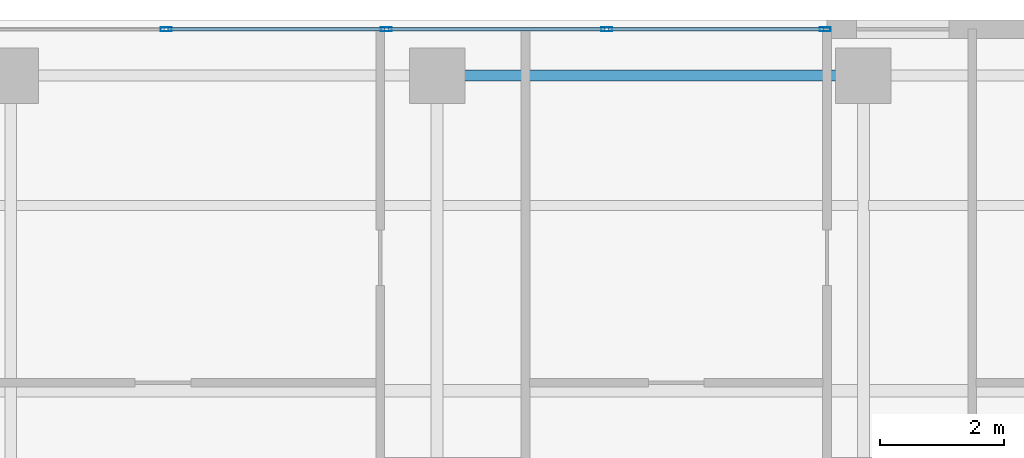
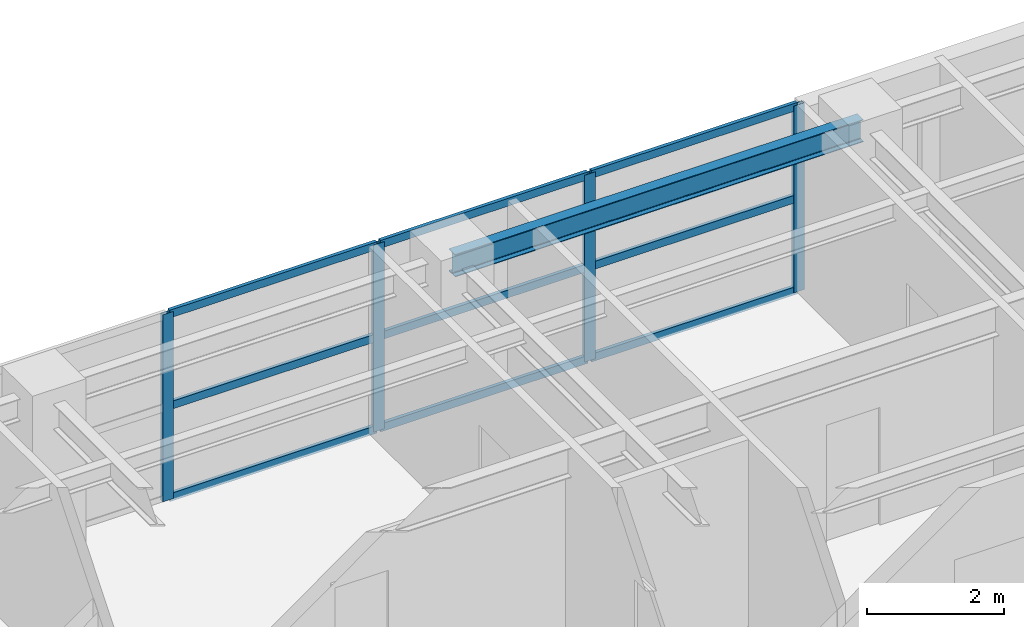
# One storey, part 17 of 24: 13 members, 1 beam, 1 element without a shape of its own.
"""IFC4 building model written with IfcOpenShell, lengths in metres."""

from ifc_helpers import new_model, si_unit, direction, frame, origin, origin_2d, place, context, subcontext, project, spatial, hollow_rectangle, i_section, extrude, source, transform, mapped, material, layer, layer_set, material_profile, profile_set, type_object, element, aggregate, save


model = new_model("IFC4")

# Units and contexts
model_context = context("Model", 3, precision=1e-05, world=origin(), true_north=direction((0.0, 1.0)))
body_context = subcontext(model_context, "Body", "Model", "MODEL_VIEW")
ifc_project = project(units=[si_unit("LENGTHUNIT", "METRE"), si_unit("AREAUNIT", "SQUARE_METRE"), si_unit("VOLUMEUNIT", "CUBIC_METRE"), si_unit("PLANEANGLEUNIT", "RADIAN"), si_unit("MASSUNIT", "GRAM", prefix="KILO")], contexts=[model_context])

# Site, building, storey
site_placement = place(None, origin())
site = spatial("IfcSite", under=ifc_project, at=site_placement, CompositionType="ELEMENT")
building_placement = place(site_placement, origin())
building = spatial("IfcBuilding", under=site, at=building_placement, Name="Khoralis Quay Care Tower", CompositionType="ELEMENT")
storey_placement = place(building_placement, frame((0.0, 0.0, 155.699951171875)))
storey = spatial("IfcBuildingStorey", under=building, at=storey_placement, Name="L40", CompositionType="ELEMENT", Elevation=155.699951171875)

# Beam
ifc_material_1 = material(Name="Steel S355", Category="steel")
ifc_material_profile_1 = material_profile(ifc_material_1, i_section(OverallWidth=0.179931640625, OverallDepth=0.39990234375, WebThickness=0.008544921875, FlangeThickness=0.013427734375, FilletRadius=0.02099609375, at=origin_2d()), Name="Steel S355")
ifc_profile_set_1 = profile_set([ifc_material_profile_1], Name="Steel S355")
beam_type = type_object("IfcBeamType", Name="BM-IPE400", PredefinedType="SPANDREL", material=ifc_profile_set_1)
shared_shape_1 = source(origin(), body_context, "Body", "SweptSolid", [
    extrude(i_section(OverallWidth=0.179931640625, OverallDepth=0.39990234375, WebThickness=0.008544921875, FlangeThickness=0.013427734375, FilletRadius=0.02099609375, at=origin_2d()), origin(), (0.0, 0.0, 1.0), 6.89990234375),
])
beam_placement = place(storey_placement, frame((24.0, 41.10009765625, 3.14013671875), z_axis=(1.0, 0.0, 0.0), x_axis=(0.0, 1.0, 0.0)))
element("IfcBeam", 1, at=beam_placement, inside=storey, type_object=beam_type, Name="BM-TSP-L40-07", PredefinedType="SPANDREL", context=body_context, shape_type="MappedRepresentation", body=[
    mapped(shared_shape_1, transform((0.0, 0.0, 0.0), scale=1.0)),
])

# Curtain wall, members
ifc_material_2 = material(Name="Pale anodised aluminium", Category="aluminium")
ifc_layer = layer(ifc_material_2, 0.159912109375)
ifc_layer_set = layer_set([ifc_layer], Name="Pale anodised aluminium")
curtain_wall_type = type_object("IfcCurtainWallType", Name="CW-SYS-Z3", PredefinedType="NOTDEFINED", material=ifc_layer_set)
curtain_wall_placement = place(storey_placement, origin())
curtain_wall = element("IfcCurtainWall", 2, at=curtain_wall_placement, inside=storey, type_object=curtain_wall_type, Name="L40 Unitised Curtain Wall CW-L40-P1-E10", PredefinedType="NOTDEFINED")
ifc_material_profile_2 = material_profile(ifc_material_2, hollow_rectangle(XDim=0.06494140625, YDim=0.179931640625, WallThickness=0.00390625, at=origin_2d()), Name="Pale anodised aluminium")
ifc_profile_set_2 = profile_set([ifc_material_profile_2], Name="Pale anodised aluminium")
member_type_1 = type_object("IfcMemberType", Name="CW-MUL-180", PredefinedType="MULLION", material=ifc_profile_set_2)
shared_shape_2 = source(origin(), body_context, "Body", "SweptSolid", [
    extrude(hollow_rectangle(XDim=0.06494140625, YDim=0.179931640625, WallThickness=0.00390625, at=origin_2d()), origin(), (0.0, 0.0, 1.0), 3.340087890625),
])
member_1_placement = place(storey_placement, frame((30.280029296875, 41.85009765625, 0.0), z_axis=(0.0, 0.0, 1.0), x_axis=(0.0, -1.0, 0.0)))
member_1 = element("IfcMember", 3, at=member_1_placement, type_object=member_type_1, Name="CW3 mullion 1", PredefinedType="MULLION", context=body_context, shape_type="MappedRepresentation", body=[
    mapped(shared_shape_2, transform((0.0, 0.0, 0.0), scale=1.0)),
])
member_2_placement = place(storey_placement, frame((26.7451171875, 41.85009765625, 0.0), z_axis=(0.0, 0.0, 1.0), x_axis=(0.0, -1.0, 0.0)))
member_2 = element("IfcMember", 4, at=member_2_placement, type_object=member_type_1, Name="CW3 mullion 2", PredefinedType="MULLION", context=body_context, shape_type="MappedRepresentation", body=[
    mapped(shared_shape_2, transform((0.0, 0.0, 0.0), scale=1.0)),
])
member_3_placement = place(storey_placement, frame((23.179931640625, 41.85009765625, 0.0), z_axis=(0.0, 0.0, 1.0), x_axis=(0.0, -1.0, 0.0)))
member_3 = element("IfcMember", 5, at=member_3_placement, type_object=member_type_1, Name="CW3 mullion 3", PredefinedType="MULLION", context=body_context, shape_type="MappedRepresentation", body=[
    mapped(shared_shape_2, transform((0.0, 0.0, 0.0), scale=1.0)),
])
member_4_placement = place(storey_placement, frame((19.614990234375, 41.85009765625, 0.0), z_axis=(0.0, 0.0, 1.0), x_axis=(0.0, -1.0, 0.0)))
member_4 = element("IfcMember", 6, at=member_4_placement, type_object=member_type_1, Name="CW3 mullion 4", PredefinedType="MULLION", context=body_context, shape_type="MappedRepresentation", body=[
    mapped(shared_shape_2, transform((0.0, 0.0, 0.0), scale=1.0)),
])
ifc_material_profile_3 = material_profile(ifc_material_2, hollow_rectangle(XDim=0.06005859375, YDim=0.139892578125, WallThickness=0.00390625, at=origin_2d()), Name="Pale anodised aluminium")
ifc_profile_set_3 = profile_set([ifc_material_profile_3], Name="Pale anodised aluminium")
member_type_2 = type_object("IfcMemberType", Name="CW-TRN-140", PredefinedType="USERDEFINED", material=ifc_profile_set_3)
shared_shape_3 = source(origin(), body_context, "Body", "SweptSolid", [
    extrude(hollow_rectangle(XDim=0.06005859375, YDim=0.139892578125, WallThickness=0.00390625, at=origin_2d()), origin(), (0.0, 0.0, 1.0), 3.47509765625),
])
member_5_placement = place(storey_placement, frame((30.25, 41.85009765625, 0.030029296875), z_axis=(-1.0, 0.0, 0.0), x_axis=(0.0, -1.0, 0.0)))
member_5 = element("IfcMember", 7, at=member_5_placement, type_object=member_type_2, Name="CW3 transom 1.1", ObjectType="TRANSOM", PredefinedType="USERDEFINED", context=body_context, shape_type="MappedRepresentation", body=[
    mapped(shared_shape_3, transform((0.0, 0.0, 0.0), scale=1.0)),
])
member_6_placement = place(storey_placement, frame((30.25, 41.85009765625, 1.670166015625), z_axis=(-1.0, 0.0, 0.0), x_axis=(0.0, -1.0, 0.0)))
member_6 = element("IfcMember", 8, at=member_6_placement, type_object=member_type_2, Name="CW3 transom 1.2", ObjectType="TRANSOM", PredefinedType="USERDEFINED", context=body_context, shape_type="MappedRepresentation", body=[
    mapped(shared_shape_3, transform((0.0, 0.0, 0.0), scale=1.0)),
])
member_7_placement = place(storey_placement, frame((30.25, 41.85009765625, 3.31005859375), z_axis=(-1.0, 0.0, 0.0), x_axis=(0.0, -1.0, 0.0)))
member_7 = element("IfcMember", 9, at=member_7_placement, type_object=member_type_2, Name="CW3 transom 1.3", ObjectType="TRANSOM", PredefinedType="USERDEFINED", context=body_context, shape_type="MappedRepresentation", body=[
    mapped(shared_shape_3, transform((0.0, 0.0, 0.0), scale=1.0)),
])
shared_shape_4 = source(origin(), body_context, "Body", "SweptSolid", [
    extrude(hollow_rectangle(XDim=0.06005859375, YDim=0.139892578125, WallThickness=0.00390625, at=origin_2d()), origin(), (0.0, 0.0, 1.0), 3.505126953125),
])
member_8_placement = place(storey_placement, frame((26.715087890625, 41.85009765625, 0.030029296875), z_axis=(-1.0, 0.0, 0.0), x_axis=(0.0, -1.0, 0.0)))
member_8 = element("IfcMember", 10, at=member_8_placement, type_object=member_type_2, Name="CW3 transom 2.1", ObjectType="TRANSOM", PredefinedType="USERDEFINED", context=body_context, shape_type="MappedRepresentation", body=[
    mapped(shared_shape_4, transform((0.0, 0.0, 0.0), scale=1.0)),
])
member_9_placement = place(storey_placement, frame((26.715087890625, 41.85009765625, 1.670166015625), z_axis=(-1.0, 0.0, 0.0), x_axis=(0.0, -1.0, 0.0)))
member_9 = element("IfcMember", 11, at=member_9_placement, type_object=member_type_2, Name="CW3 transom 2.2", ObjectType="TRANSOM", PredefinedType="USERDEFINED", context=body_context, shape_type="MappedRepresentation", body=[
    mapped(shared_shape_4, transform((0.0, 0.0, 0.0), scale=1.0)),
])
member_10_placement = place(storey_placement, frame((26.715087890625, 41.85009765625, 3.31005859375), z_axis=(-1.0, 0.0, 0.0), x_axis=(0.0, -1.0, 0.0)))
member_10 = element("IfcMember", 12, at=member_10_placement, type_object=member_type_2, Name="CW3 transom 2.3", ObjectType="TRANSOM", PredefinedType="USERDEFINED", context=body_context, shape_type="MappedRepresentation", body=[
    mapped(shared_shape_4, transform((0.0, 0.0, 0.0), scale=1.0)),
])
shared_shape_5 = source(origin(), body_context, "Body", "SweptSolid", [
    extrude(hollow_rectangle(XDim=0.06005859375, YDim=0.139892578125, WallThickness=0.00390625, at=origin_2d()), origin(), (0.0, 0.0, 1.0), 3.5048828125),
])
member_11_placement = place(storey_placement, frame((23.14990234375, 41.85009765625, 0.030029296875), z_axis=(-1.0, 0.0, 0.0), x_axis=(0.0, -1.0, 0.0)))
member_11 = element("IfcMember", 13, at=member_11_placement, type_object=member_type_2, Name="CW3 transom 3.1", ObjectType="TRANSOM", PredefinedType="USERDEFINED", context=body_context, shape_type="MappedRepresentation", body=[
    mapped(shared_shape_5, transform((0.0, 0.0, 0.0), scale=1.0)),
])
member_12_placement = place(storey_placement, frame((23.14990234375, 41.85009765625, 1.670166015625), z_axis=(-1.0, 0.0, 0.0), x_axis=(0.0, -1.0, 0.0)))
member_12 = element("IfcMember", 14, at=member_12_placement, type_object=member_type_2, Name="CW3 transom 3.2", ObjectType="TRANSOM", PredefinedType="USERDEFINED", context=body_context, shape_type="MappedRepresentation", body=[
    mapped(shared_shape_5, transform((0.0, 0.0, 0.0), scale=1.0)),
])
member_13_placement = place(storey_placement, frame((23.14990234375, 41.85009765625, 3.31005859375), z_axis=(-1.0, 0.0, 0.0), x_axis=(0.0, -1.0, 0.0)))
member_13 = element("IfcMember", 15, at=member_13_placement, type_object=member_type_2, Name="CW3 transom 3.3", ObjectType="TRANSOM", PredefinedType="USERDEFINED", context=body_context, shape_type="MappedRepresentation", body=[
    mapped(shared_shape_5, transform((0.0, 0.0, 0.0), scale=1.0)),
])
aggregate(curtain_wall, [member_1, member_2, member_3, member_4, member_5, member_6, member_7, member_8, member_9, member_10, member_11, member_12, member_13])

save(model, "model.ifc")
